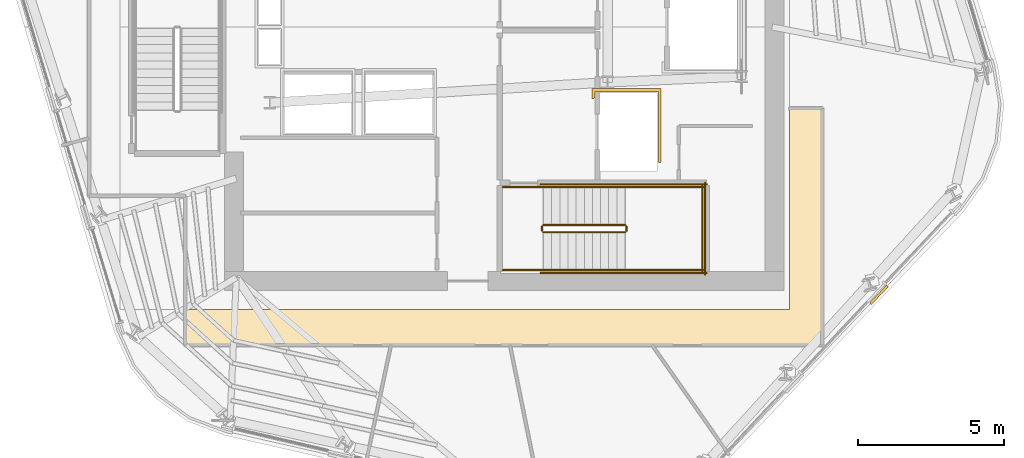
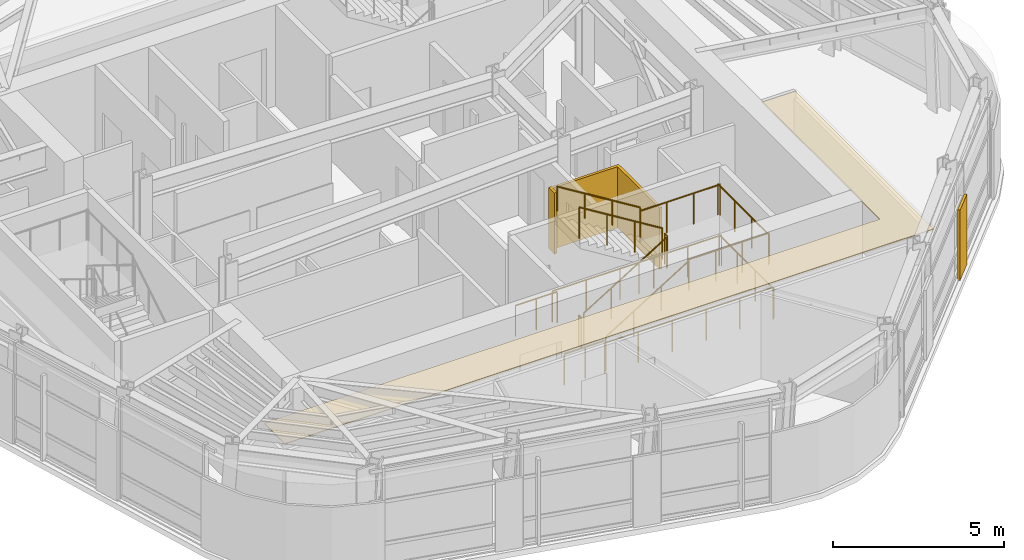
# One storey, part 10 of 13: 14 railings, 3 coverings.
"""IFC4 building model written with IfcOpenShell, lengths in metres."""

from ifc_helpers import new_model, si_unit, direction, frame, origin, origin_2d, place, context, subcontext, project, spatial, polyline, circle, outline, extrude, material, layer, layer_set, type_object, element, save


model = new_model("IFC4")

# Units and contexts
model_context = context("Model", 3, precision=1e-05, world=origin(), true_north=direction((0.0, 1.0)))
body_context = subcontext(model_context, "Body", "Model", "MODEL_VIEW")
ifc_project = project(units=[si_unit("LENGTHUNIT", "METRE"), si_unit("AREAUNIT", "SQUARE_METRE"), si_unit("VOLUMEUNIT", "CUBIC_METRE"), si_unit("PLANEANGLEUNIT", "RADIAN"), si_unit("MASSUNIT", "GRAM", prefix="KILO")], contexts=[model_context])

# Site, building, storey
site_placement = place(None, origin())
site = spatial("IfcSite", under=ifc_project, at=site_placement, CompositionType="ELEMENT")
building_placement = place(site_placement, origin())
building = spatial("IfcBuilding", under=site, at=building_placement, Name="Valkerne Bourse Tower", CompositionType="ELEMENT")
storey_placement = place(building_placement, frame((0.0, 0.0, 224.60009765625)))
storey = spatial("IfcBuildingStorey", under=building, at=storey_placement, Name="L57", CompositionType="ELEMENT", Elevation=224.60009765625)

# Coverings
ifc_material_1 = material(Name="Bronze Anodised Aluminium AA 6063-T6", Category="aluminium")
ifc_layer_1 = layer(ifc_material_1, 0.030029296875)
ifc_layer_set_1 = layer_set([ifc_layer_1], Name="Bronze Anodised Aluminium AA 6063-T6")
covering_type_1 = type_object("IfcCoveringType", Name="COV-CEIL-METAL", PredefinedType="CEILING", material=ifc_layer_set_1)
covering_1_placement = place(storey_placement, frame((0.0, 0.0, 3.25)))
element("IfcCovering", 1, at=covering_1_placement, inside=storey, type_object=covering_type_1, Name="L57 Suspended Ceiling 01", PredefinedType="CEILING", context=body_context, shape_type="SweptSolid", body=[
    extrude(outline(polyline([(35.85400390625, 17.300048828125), (56.60009765625, 17.300048828125), (56.60009765625, 24.196044921875), (57.716064453125, 24.196044921875), (57.716064453125, 16.083984375), (35.85400390625, 16.083984375), (35.85400390625, 17.300048828125)])), origin(), (0.0, 0.0, 1.0), 0.02490234375),
])
ifc_layer_2 = layer(ifc_material_1, 0.06005859375)
ifc_layer_set_2 = layer_set([ifc_layer_2], Name="Bronze Anodised Aluminium AA 6063-T6")
covering_type_2 = type_object("IfcCoveringType", Name="COV-CRN-ALUM", PredefinedType="CLADDING", material=ifc_layer_set_2)
covering_2_placement = place(storey_placement, origin())
element("IfcCovering", 2, at=covering_2_placement, inside=storey, type_object=covering_type_2, Name="L57 Wind-Shaped Corner Aluminium Cladding 02", PredefinedType="CLADDING", context=body_context, shape_type="SweptSolid", body=[
    extrude(outline(polyline([(59.408447265625, 17.472900390625), (59.35009765625, 17.527587890625), (59.92919921875, 18.135986328125), (59.987548828125, 18.081298828125), (59.408447265625, 17.472900390625)])), origin(), (0.0, 0.0, 1.0), 2.5),
])
ifc_material_2 = material(Name="Gypsum Shaftwall Liner Board", Category="gypsum")
ifc_layer_3 = layer(ifc_material_2, 0.080078125)
ifc_layer_set_3 = layer_set([ifc_layer_3], Name="Gypsum Shaftwall Liner Board")
covering_type_3 = type_object("IfcCoveringType", Name="COV-SHF-CLAD", PredefinedType="CLADDING", material=ifc_layer_set_3)
covering_3_placement = place(storey_placement, origin())
element("IfcCovering", 3, at=covering_3_placement, inside=storey, type_object=covering_type_3, Name="L57 Hoistway & Riser Shaftwall Liner 05", PredefinedType="CLADDING", context=body_context, shape_type="SweptSolid", body=[
    extrude(outline(polyline([(52.179931640625, 22.35009765625), (52.090087890625, 22.35009765625), (52.090087890625, 24.7900390625), (49.909912109375, 24.7900390625), (49.909912109375, 24.560791015625), (49.869384765625, 24.550537109375), (49.827880859375, 24.53564453125), (49.820068359375, 24.531982421875), (49.820068359375, 24.8798828125), (52.179931640625, 24.8798828125), (52.179931640625, 22.35009765625)])), origin(), (0.0, 0.0, 1.0), 2.179931640625),
])

# Railings
ifc_material_3 = material(Name="Galvanised Painted Steel", Category="steel")
railing_type_1 = type_object("IfcRailingType", Name="RLG-ST-GUARD-1120", PredefinedType="GUARDRAIL", material=ifc_material_3)
railing_1_placement = place(storey_placement, frame((48.14990234375, 19.949951171875, 0.172607421875)))
element("IfcRailing", 4, at=railing_1_placement, inside=storey, type_object=railing_type_1, Name="L57 ST-1 stair guard 1", PredefinedType="GUARDRAIL", context=body_context, shape_type="SweptSolid", body=[
    extrude(circle(Radius=0.02392578125, at=origin_2d()), frame((0.0, 0.0, 1.09619140625), z_axis=(0.851089632645, 0.0, 0.525020415988), x_axis=(0.0, 1.0, 0.0)), (0.0, 0.0, 1.0), 3.2900390625),
    extrude(circle(Radius=0.02099609375, at=origin_2d()), origin(), (0.0, 0.0, 1.0), 1.072021484375),
    extrude(circle(Radius=0.02099609375, at=origin_2d()), frame((0.933349609375, 0.0, 0.57568359375)), (0.0, 0.0, 1.0), 1.072021484375),
    extrude(circle(Radius=0.02099609375, at=origin_2d()), frame((1.86669921875, 0.0, 1.151611328125)), (0.0, 0.0, 1.0), 1.072021484375),
    extrude(circle(Radius=0.02099609375, at=origin_2d()), frame((2.800048828125, 0.0, 1.727294921875)), (0.0, 0.0, 1.0), 1.072021484375),
])
railing_2_placement = place(storey_placement, frame((51.0, 20.0, 1.89990234375)))
element("IfcRailing", 5, at=railing_2_placement, inside=storey, type_object=railing_type_1, Name="L57 ST-1 stair guard 2", PredefinedType="GUARDRAIL", context=body_context, shape_type="SweptSolid", body=[
    extrude(circle(Radius=0.02392578125, at=origin_2d()), frame((0.0, 0.0, 1.09619140625), z_axis=(0.0, 1.0, 0.0), x_axis=(-1.0, 0.0, 0.0)), (0.0, 0.0, 1.0), 0.14990234375),
    extrude(circle(Radius=0.02099609375, at=origin_2d()), origin(), (0.0, 0.0, 1.0), 1.072021484375),
    extrude(circle(Radius=0.02099609375, at=origin_2d()), frame((0.0, 0.14990234375, 0.0)), (0.0, 0.0, 1.0), 1.072021484375),
])
for number, where, name in (
    (6, (50.949951171875, 18.64990234375, 1.89990234375), "L57 ST-1 stair guard 3"),
    (7, (50.949951171875, 21.5, 1.89990234375), "L57 ST-1 stair guard 4"),
):
    element("IfcRailing", number, at=place(storey_placement, frame(where)), inside=storey, type_object=railing_type_1, Name=name, PredefinedType="GUARDRAIL", context=body_context, shape_type="SweptSolid", body=[
        extrude(circle(Radius=0.02392578125, at=origin_2d()), frame((0.0, 0.0, 1.09619140625), z_axis=(1.0, 0.0, 0.0), x_axis=(0.0, 1.0, 0.0)), (0.0, 0.0, 1.0), 2.699951171875),
        extrude(circle(Radius=0.02099609375, at=origin_2d()), origin(), (0.0, 0.0, 1.0), 1.072021484375),
        extrude(circle(Radius=0.02099609375, at=origin_2d()), frame((0.89990234375, 0.0, 0.0)), (0.0, 0.0, 1.0), 1.072021484375),
        extrude(circle(Radius=0.02099609375, at=origin_2d()), frame((1.800048828125, 0.0, 0.0)), (0.0, 0.0, 1.0), 1.072021484375),
        extrude(circle(Radius=0.02099609375, at=origin_2d()), frame((2.699951171875, 0.0, 0.0)), (0.0, 0.0, 1.0), 1.072021484375),
    ])
railing_3_placement = place(storey_placement, frame((53.60009765625, 18.60009765625, 1.89990234375)))
element("IfcRailing", 8, at=railing_3_placement, inside=storey, type_object=railing_type_1, Name="L57 ST-1 stair guard 5", PredefinedType="GUARDRAIL", context=body_context, shape_type="SweptSolid", body=[
    extrude(circle(Radius=0.02392578125, at=origin_2d()), frame((0.0, 0.0, 1.09619140625), z_axis=(0.0, 1.0, 0.0), x_axis=(-1.0, 0.0, 0.0)), (0.0, 0.0, 1.0), 2.949951171875),
    extrude(circle(Radius=0.02099609375, at=origin_2d()), origin(), (0.0, 0.0, 1.0), 1.072021484375),
    extrude(circle(Radius=0.02099609375, at=origin_2d()), frame((0.0, 0.9833984375, 0.0)), (0.0, 0.0, 1.0), 1.072021484375),
    extrude(circle(Radius=0.02099609375, at=origin_2d()), frame((0.0, 1.966552734375, 0.0)), (0.0, 0.0, 1.0), 1.072021484375),
    extrude(circle(Radius=0.02099609375, at=origin_2d()), frame((0.0, 2.949951171875, 0.0)), (0.0, 0.0, 1.0), 1.072021484375),
])
railing_4_placement = place(storey_placement, frame((50.949951171875, 20.199951171875, 2.072509765625)))
element("IfcRailing", 9, at=railing_4_placement, inside=storey, type_object=railing_type_1, Name="L57 ST-1 stair guard 6", PredefinedType="GUARDRAIL", context=body_context, shape_type="SweptSolid", body=[
    extrude(circle(Radius=0.02392578125, at=origin_2d()), frame((0.0, 0.0, 1.09619140625), z_axis=(-0.851089632645, 0.0, 0.525020415988), x_axis=(0.0, -1.0, 0.0)), (0.0, 0.0, 1.0), 3.2900390625),
    extrude(circle(Radius=0.02099609375, at=origin_2d()), origin(), (0.0, 0.0, 1.0), 1.072021484375),
    extrude(circle(Radius=0.02099609375, at=origin_2d()), frame((-0.933349609375, 0.0, 0.57568359375)), (0.0, 0.0, 1.0), 1.072021484375),
    extrude(circle(Radius=0.02099609375, at=origin_2d()), frame((-1.86669921875, 0.0, 1.151611328125)), (0.0, 0.0, 1.0), 1.072021484375),
    extrude(circle(Radius=0.02099609375, at=origin_2d()), frame((-2.800048828125, 0.0, 1.727294921875)), (0.0, 0.0, 1.0), 1.072021484375),
])
railing_5_placement = place(storey_placement, frame((48.10009765625, 20.0, 0.0)))
element("IfcRailing", 10, at=railing_5_placement, inside=storey, type_object=railing_type_1, Name="L57 ST-1 stair guard 7", PredefinedType="GUARDRAIL", context=body_context, shape_type="SweptSolid", body=[
    extrude(circle(Radius=0.02392578125, at=origin_2d()), frame((0.0, 0.0, 1.09619140625), z_axis=(0.0, 1.0, 0.0), x_axis=(-1.0, 0.0, 0.0)), (0.0, 0.0, 1.0), 0.14990234375),
    extrude(circle(Radius=0.02099609375, at=origin_2d()), origin(), (0.0, 0.0, 1.0), 1.072021484375),
    extrude(circle(Radius=0.02099609375, at=origin_2d()), frame((0.0, 0.14990234375, 0.0)), (0.0, 0.0, 1.0), 1.072021484375),
])
for number, where, name in (
    (11, (46.75, 18.64990234375, 0.0), "L57 ST-1 stair guard 8"),
    (12, (46.75, 21.5, 0.0), "L57 ST-1 stair guard 9"),
):
    element("IfcRailing", number, at=place(storey_placement, frame(where)), inside=storey, type_object=railing_type_1, Name=name, PredefinedType="GUARDRAIL", context=body_context, shape_type="SweptSolid", body=[
        extrude(circle(Radius=0.02392578125, at=origin_2d()), frame((0.0, 0.0, 1.09619140625), z_axis=(1.0, 0.0, 0.0), x_axis=(0.0, 1.0, 0.0)), (0.0, 0.0, 1.0), 1.39990234375),
        extrude(circle(Radius=0.02099609375, at=origin_2d()), origin(), (0.0, 0.0, 1.0), 1.072021484375),
        extrude(circle(Radius=0.02099609375, at=origin_2d()), frame((0.699951171875, 0.0, 0.0)), (0.0, 0.0, 1.0), 1.072021484375),
        extrude(circle(Radius=0.02099609375, at=origin_2d()), frame((1.39990234375, 0.0, 0.0)), (0.0, 0.0, 1.0), 1.072021484375),
    ])
for number, where, name in (
    (13, (48.050048828125, 18.550048828125, 0.0), "L57 ST-1 stair guard 10"),
    (14, (48.050048828125, 21.60009765625, 0.0), "L57 ST-1 stair guard 11"),
):
    element("IfcRailing", number, at=place(storey_placement, frame(where)), inside=storey, type_object=railing_type_1, Name=name, PredefinedType="GUARDRAIL", context=body_context, shape_type="SweptSolid", body=[
        extrude(circle(Radius=0.02392578125, at=origin_2d()), frame((0.0, 0.0, 1.09619140625), z_axis=(1.0, 0.0, 0.0), x_axis=(0.0, 1.0, 0.0)), (0.0, 0.0, 1.0), 5.699951171875),
        extrude(circle(Radius=0.02099609375, at=origin_2d()), origin(), (0.0, 0.0, 1.0), 1.072021484375),
        extrude(circle(Radius=0.02099609375, at=origin_2d()), frame((1.139892578125, 0.0, 0.0)), (0.0, 0.0, 1.0), 1.072021484375),
        extrude(circle(Radius=0.02099609375, at=origin_2d()), frame((2.280029296875, 0.0, 0.0)), (0.0, 0.0, 1.0), 1.072021484375),
        extrude(circle(Radius=0.02099609375, at=origin_2d()), frame((3.419921875, 0.0, 0.0)), (0.0, 0.0, 1.0), 1.072021484375),
        extrude(circle(Radius=0.02099609375, at=origin_2d()), frame((4.56005859375, 0.0, 0.0)), (0.0, 0.0, 1.0), 1.072021484375),
        extrude(circle(Radius=0.02099609375, at=origin_2d()), frame((5.699951171875, 0.0, 0.0)), (0.0, 0.0, 1.0), 1.072021484375),
    ])
railing_6_placement = place(storey_placement, frame((53.699951171875, 18.5, 0.0)))
element("IfcRailing", 15, at=railing_6_placement, inside=storey, type_object=railing_type_1, Name="L57 ST-1 stair guard 12", PredefinedType="GUARDRAIL", context=body_context, shape_type="SweptSolid", body=[
    extrude(circle(Radius=0.02392578125, at=origin_2d()), frame((0.0, 0.0, 1.09619140625), z_axis=(0.0, 1.0, 0.0), x_axis=(-1.0, 0.0, 0.0)), (0.0, 0.0, 1.0), 3.14990234375),
    extrude(circle(Radius=0.02099609375, at=origin_2d()), origin(), (0.0, 0.0, 1.0), 1.072021484375),
    extrude(circle(Radius=0.02099609375, at=origin_2d()), frame((0.0, 1.050048828125, 0.0)), (0.0, 0.0, 1.0), 1.072021484375),
    extrude(circle(Radius=0.02099609375, at=origin_2d()), frame((0.0, 2.099853515625, 0.0)), (0.0, 0.0, 1.0), 1.072021484375),
    extrude(circle(Radius=0.02099609375, at=origin_2d()), frame((0.0, 3.14990234375, 0.0)), (0.0, 0.0, 1.0), 1.072021484375),
])
ifc_material_4 = material(Name="Stainless Steel AISI 316", Category="steel")
railing_type_2 = type_object("IfcRailingType", Name="RLG-ST-HANDRAIL-900", PredefinedType="HANDRAIL", material=ifc_material_4)
railing_7_placement = place(storey_placement, frame((48.14990234375, 18.64990234375, 0.345458984375)))
element("IfcRailing", 16, at=railing_7_placement, inside=storey, type_object=railing_type_2, Name="L57 ST-1 stair handrail 1", PredefinedType="HANDRAIL", context=body_context, shape_type="SweptSolid", body=[
    extrude(circle(Radius=0.02392578125, at=origin_2d()), frame((0.0, 0.0, 0.8759765625), z_axis=(0.851122791225, 0.0, 0.524966660138), x_axis=(0.0, 1.0, 0.0)), (0.0, 0.0, 1.0), 3.289794921875),
    extrude(circle(Radius=0.02099609375, at=origin_2d()), origin(), (0.0, 0.0, 1.0), 0.851806640625),
    extrude(circle(Radius=0.02099609375, at=origin_2d()), frame((0.933349609375, 0.0, 0.57568359375)), (0.0, 0.0, 1.0), 0.851806640625),
    extrude(circle(Radius=0.02099609375, at=origin_2d()), frame((1.86669921875, 0.0, 1.1513671875)), (0.0, 0.0, 1.0), 0.851806640625),
    extrude(circle(Radius=0.02099609375, at=origin_2d()), frame((2.800048828125, 0.0, 1.72705078125)), (0.0, 0.0, 1.0), 0.851806640625),
])
railing_8_placement = place(storey_placement, frame((50.949951171875, 21.5, 2.245361328125)))
element("IfcRailing", 17, at=railing_8_placement, inside=storey, type_object=railing_type_2, Name="L57 ST-1 stair handrail 2", PredefinedType="HANDRAIL", context=body_context, shape_type="SweptSolid", body=[
    extrude(circle(Radius=0.02392578125, at=origin_2d()), frame((0.0, 0.0, 0.8759765625), z_axis=(-0.851089632645, 0.0, 0.525020415988), x_axis=(0.0, -1.0, 0.0)), (0.0, 0.0, 1.0), 3.2900390625),
    extrude(circle(Radius=0.02099609375, at=origin_2d()), origin(), (0.0, 0.0, 1.0), 0.851806640625),
    extrude(circle(Radius=0.02099609375, at=origin_2d()), frame((-0.933349609375, 0.0, 0.57568359375)), (0.0, 0.0, 1.0), 0.851806640625),
    extrude(circle(Radius=0.02099609375, at=origin_2d()), frame((-1.86669921875, 0.0, 1.151611328125)), (0.0, 0.0, 1.0), 0.851806640625),
    extrude(circle(Radius=0.02099609375, at=origin_2d()), frame((-2.800048828125, 0.0, 1.727294921875)), (0.0, 0.0, 1.0), 0.851806640625),
])

save(model, "model.ifc")
